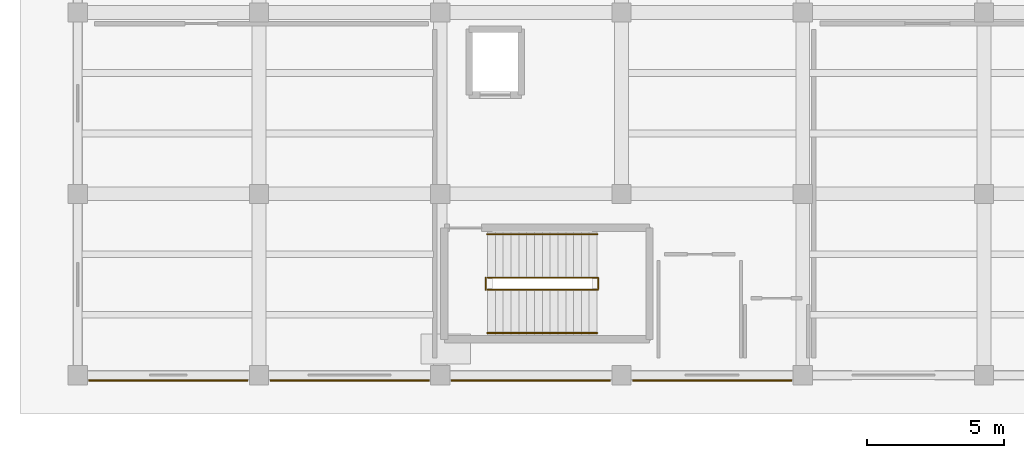
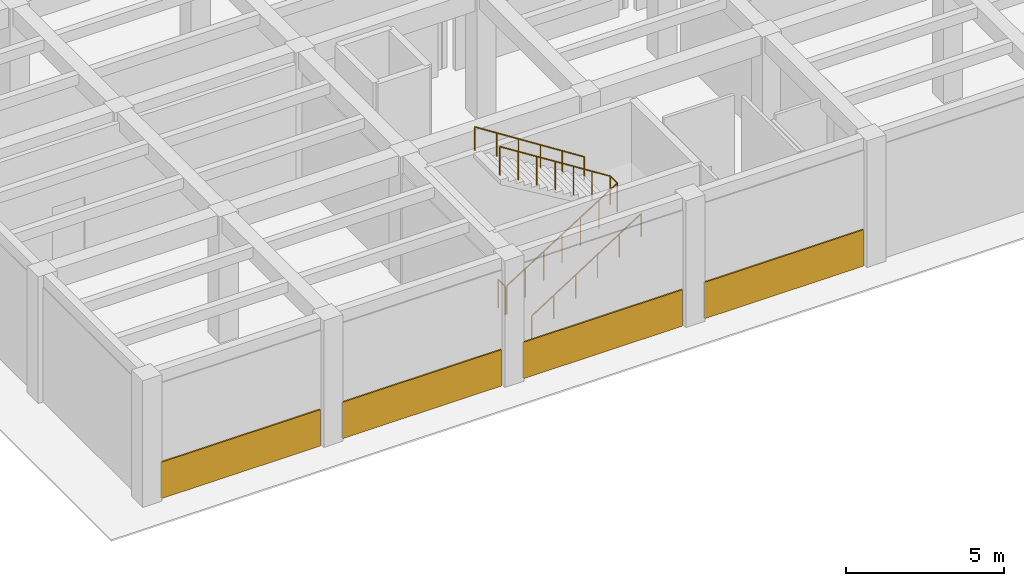
# One storey, part 51 of 57: 4 coverings, 4 railings.
"""IFC4 building model written with IfcOpenShell, lengths in metres."""

from ifc_helpers import new_model, si_unit, direction, frame, origin, origin_2d, place, context, subcontext, project, spatial, rectangle, circle, extrude, material, layer, layer_set, type_object, element, save


model = new_model("IFC4")

# Units and contexts
model_context = context("Model", 3, precision=1e-05, world=origin(), true_north=direction((0.0, 1.0)))
body_context = subcontext(model_context, "Body", "Model", "MODEL_VIEW")
ifc_project = project(units=[si_unit("LENGTHUNIT", "METRE"), si_unit("AREAUNIT", "SQUARE_METRE"), si_unit("VOLUMEUNIT", "CUBIC_METRE"), si_unit("PLANEANGLEUNIT", "RADIAN"), si_unit("MASSUNIT", "GRAM", prefix="KILO")], contexts=[model_context])

# Site, building, storey
site_placement = place(None, origin())
site = spatial("IfcSite", under=ifc_project, at=site_placement, CompositionType="ELEMENT")
building_placement = place(site_placement, origin())
building = spatial("IfcBuilding", under=site, at=building_placement, Name="Kharisveld Research Institute", CompositionType="ELEMENT")
storey_placement = place(building_placement, origin())
storey = spatial("IfcBuildingStorey", under=building, at=storey_placement, Name="L00", CompositionType="ELEMENT", Elevation=0.0)

# Coverings
ifc_material_1 = material(Name="Khomas Mica-Schist Stone", Category="masonry")
ifc_layer = layer(ifc_material_1, 0.054931640625)
ifc_layer_set = layer_set([ifc_layer], Name="CV_CLAD_SCHIST")
covering_type = type_object("IfcCoveringType", Name="CV_CLAD_SCHIST", PredefinedType="CLADDING", material=ifc_layer_set)
for number, where, z_axis, x_axis, name in (
    (1, (23.699951171875, 0.001953125, 0.0), (0.0, 0.0, 1.0), (-1.0, 0.0, 0.0), "COV:V3:L00:SCHIST_S4"),
    (2, (17.10009765625, 0.001953125, 0.0), (0.0, 0.0, 1.0), (-1.0, 0.0, 0.0), "COV:V3:L00:SCHIST_S3"),
    (3, (10.5, 0.001953125, 0.0), (0.0, 0.0, 1.0), (-1.0, 0.0, 0.0), "COV:V3:L00:SCHIST_S2"),
    (4, (3.89990234375, 0.001953125, 0.0), (0.0, 0.0, 1.0), (-1.0, 0.0, 0.0), "COV:V3:L00:SCHIST_S1"),
):
    element("IfcCovering", number, at=place(storey_placement, frame(where, z_axis=z_axis, x_axis=x_axis)), inside=storey, type_object=covering_type, Name=name, PredefinedType="CLADDING", context=body_context, shape_type="SweptSolid", body=[
        extrude(rectangle(XDim=5.7900390625, YDim=0.054931640625, at=origin_2d()), origin(), (0.0, 0.0, 1.0), 1.39990234375),
    ])

# Railings
ifc_material_2 = material(Name="Steel S355JR", Category="steel")
railing_type_1 = type_object("IfcRailingType", Name="RL_GRD_STR", PredefinedType="GUARDRAIL", material=ifc_material_2)
railing_1_placement = place(storey_placement, frame((15.52001953125, 3.31005859375, 0.0)))
element("IfcRailing", 5, at=railing_1_placement, inside=storey, type_object=railing_type_1, Name="RLG:ST4:L00:GRD_SLOT", PredefinedType="GUARDRAIL", context=body_context, shape_type="SweptSolid", body=[
    extrude(circle(Radius=0.02392578125, at=origin_2d()), frame((0.0, 0.0, 1.09619140625), z_axis=(0.84503729466, 0.0, 0.53470736916), x_axis=(0.0, 1.0, 0.0)), (0.0, 0.0, 1.0), 4.76904296875),
    extrude(circle(Radius=0.02392578125, at=origin_2d()), frame((4.030029296875, 0.0, 3.64599609375), z_axis=(0.0, 1.0, 0.0), x_axis=(-1.0, 0.0, 0.0)), (0.0, 0.0, 1.0), 0.43994140625),
    extrude(circle(Radius=0.02392578125, at=origin_2d()), frame((4.030029296875, 0.43994140625, 3.64599609375), z_axis=(-0.84503729466, 0.0, 0.53470736916), x_axis=(0.0, -1.0, 0.0)), (0.0, 0.0, 1.0), 4.76904296875),
    extrude(circle(Radius=0.02099609375, at=origin_2d()), origin(), (0.0, 0.0, 1.0), 1.072021484375),
    extrude(circle(Radius=0.02099609375, at=origin_2d()), frame((0.671630859375, 0.0, 0.425048828125)), (0.0, 0.0, 1.0), 1.072021484375),
    extrude(circle(Radius=0.02099609375, at=origin_2d()), frame((1.34326171875, 0.0, 0.85009765625)), (0.0, 0.0, 1.0), 1.072021484375),
    extrude(circle(Radius=0.02099609375, at=origin_2d()), frame((2.01513671875, 0.0, 1.27490234375)), (0.0, 0.0, 1.0), 1.072021484375),
    extrude(circle(Radius=0.02099609375, at=origin_2d()), frame((2.686767578125, 0.0, 1.699951171875)), (0.0, 0.0, 1.0), 1.072021484375),
    extrude(circle(Radius=0.02099609375, at=origin_2d()), frame((3.3583984375, 0.0, 2.125)), (0.0, 0.0, 1.0), 1.072021484375),
    extrude(circle(Radius=0.02099609375, at=origin_2d()), frame((4.030029296875, 0.0, 2.550048828125)), (0.0, 0.0, 1.0), 1.072021484375),
    extrude(circle(Radius=0.02099609375, at=origin_2d()), frame((4.030029296875, 0.43994140625, 2.550048828125)), (0.0, 0.0, 1.0), 1.072021484375),
    extrude(circle(Radius=0.02099609375, at=origin_2d()), frame((3.3583984375, 0.43994140625, 2.97509765625)), (0.0, 0.0, 1.0), 1.072021484375),
    extrude(circle(Radius=0.02099609375, at=origin_2d()), frame((2.686767578125, 0.43994140625, 3.400146484375)), (0.0, 0.0, 1.0), 1.072021484375),
    extrude(circle(Radius=0.02099609375, at=origin_2d()), frame((2.01513671875, 0.43994140625, 3.8251953125)), (0.0, 0.0, 1.0), 1.072021484375),
    extrude(circle(Radius=0.02099609375, at=origin_2d()), frame((1.34326171875, 0.43994140625, 4.25)), (0.0, 0.0, 1.0), 1.072021484375),
    extrude(circle(Radius=0.02099609375, at=origin_2d()), frame((0.671630859375, 0.43994140625, 4.675048828125)), (0.0, 0.0, 1.0), 1.072021484375),
    extrude(circle(Radius=0.02099609375, at=origin_2d()), frame((0.0, 0.43994140625, 5.10009765625)), (0.0, 0.0, 1.0), 1.072021484375),
])
railing_2_placement = place(storey_placement, frame((15.4599609375, 3.31005859375, 0.0)))
element("IfcRailing", 6, at=railing_2_placement, inside=storey, type_object=railing_type_1, Name="RLG:ST4:L00:GRD_FLRSLOT", PredefinedType="GUARDRAIL", context=body_context, shape_type="SweptSolid", body=[
    extrude(circle(Radius=0.02392578125, at=origin_2d()), frame((0.0, 0.0, 1.09619140625), z_axis=(0.0, 1.0, 0.0), x_axis=(-1.0, 0.0, 0.0)), (0.0, 0.0, 1.0), 0.43994140625),
    extrude(circle(Radius=0.02099609375, at=origin_2d()), origin(), (0.0, 0.0, 1.0), 1.072021484375),
    extrude(circle(Radius=0.02099609375, at=origin_2d()), frame((0.0, 0.43994140625, 0.0)), (0.0, 0.0, 1.0), 1.072021484375),
])
ifc_material_3 = material(Name="Stainless Steel 316", Category="steel")
railing_type_2 = type_object("IfcRailingType", Name="RL_HND_STR", PredefinedType="HANDRAIL", material=ifc_material_3)
railing_3_placement = place(storey_placement, frame((15.52001953125, 1.72998046875, 0.0)))
element("IfcRailing", 7, at=railing_3_placement, inside=storey, type_object=railing_type_2, Name="RLG:ST4:L00:HR1", PredefinedType="HANDRAIL", context=body_context, shape_type="SweptSolid", body=[
    extrude(circle(Radius=0.02392578125, at=origin_2d()), frame((0.0, 0.0, 0.89599609375), z_axis=(0.842611129269, 0.0, 0.538522501696), x_axis=(0.0, 1.0, 0.0)), (0.0, 0.0, 1.0), 4.7353515625),
    extrude(circle(Radius=0.02099609375, at=origin_2d()), origin(), (0.0, 0.0, 1.0), 0.871826171875),
    extrude(circle(Radius=0.02099609375, at=origin_2d()), frame((0.798095703125, 0.0, 0.510009765625)), (0.0, 0.0, 1.0), 0.871826171875),
    extrude(circle(Radius=0.02099609375, at=origin_2d()), frame((1.595947265625, 0.0, 1.02001953125)), (0.0, 0.0, 1.0), 0.871826171875),
    extrude(circle(Radius=0.02099609375, at=origin_2d()), frame((2.39404296875, 0.0, 1.530029296875)), (0.0, 0.0, 1.0), 0.871826171875),
    extrude(circle(Radius=0.02099609375, at=origin_2d()), frame((3.19189453125, 0.0, 2.0400390625)), (0.0, 0.0, 1.0), 0.871826171875),
    extrude(circle(Radius=0.02099609375, at=origin_2d()), frame((3.989990234375, 0.0, 2.550048828125)), (0.0, 0.0, 1.0), 0.871826171875),
])
railing_4_placement = place(storey_placement, frame((19.510009765625, 5.330078125, 2.550048828125)))
element("IfcRailing", 8, at=railing_4_placement, inside=storey, type_object=railing_type_2, Name="RLG:ST4:L00:HR2", PredefinedType="HANDRAIL", context=body_context, shape_type="SweptSolid", body=[
    extrude(circle(Radius=0.02392578125, at=origin_2d()), frame((0.0, 0.0, 0.89599609375), z_axis=(-0.842611129269, 0.0, 0.538522501696), x_axis=(0.0, -1.0, 0.0)), (0.0, 0.0, 1.0), 4.7353515625),
    extrude(circle(Radius=0.02099609375, at=origin_2d()), origin(), (0.0, 0.0, 1.0), 0.871826171875),
    extrude(circle(Radius=0.02099609375, at=origin_2d()), frame((-0.798095703125, 0.0, 0.510009765625)), (0.0, 0.0, 1.0), 0.871826171875),
    extrude(circle(Radius=0.02099609375, at=origin_2d()), frame((-1.595947265625, 0.0, 1.02001953125)), (0.0, 0.0, 1.0), 0.871826171875),
    extrude(circle(Radius=0.02099609375, at=origin_2d()), frame((-2.39404296875, 0.0, 1.530029296875)), (0.0, 0.0, 1.0), 0.871826171875),
    extrude(circle(Radius=0.02099609375, at=origin_2d()), frame((-3.19189453125, 0.0, 2.0400390625)), (0.0, 0.0, 1.0), 0.871826171875),
    extrude(circle(Radius=0.02099609375, at=origin_2d()), frame((-3.989990234375, 0.0, 2.550048828125)), (0.0, 0.0, 1.0), 0.871826171875),
])

save(model, "model.ifc")
